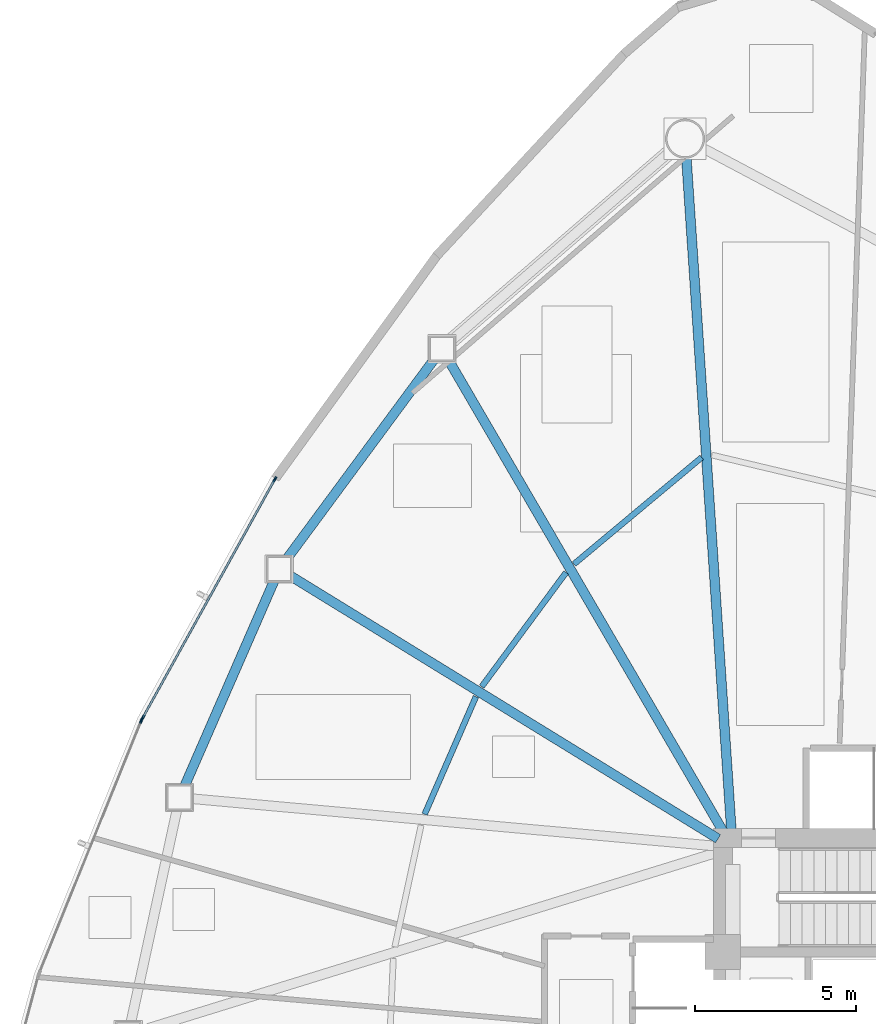
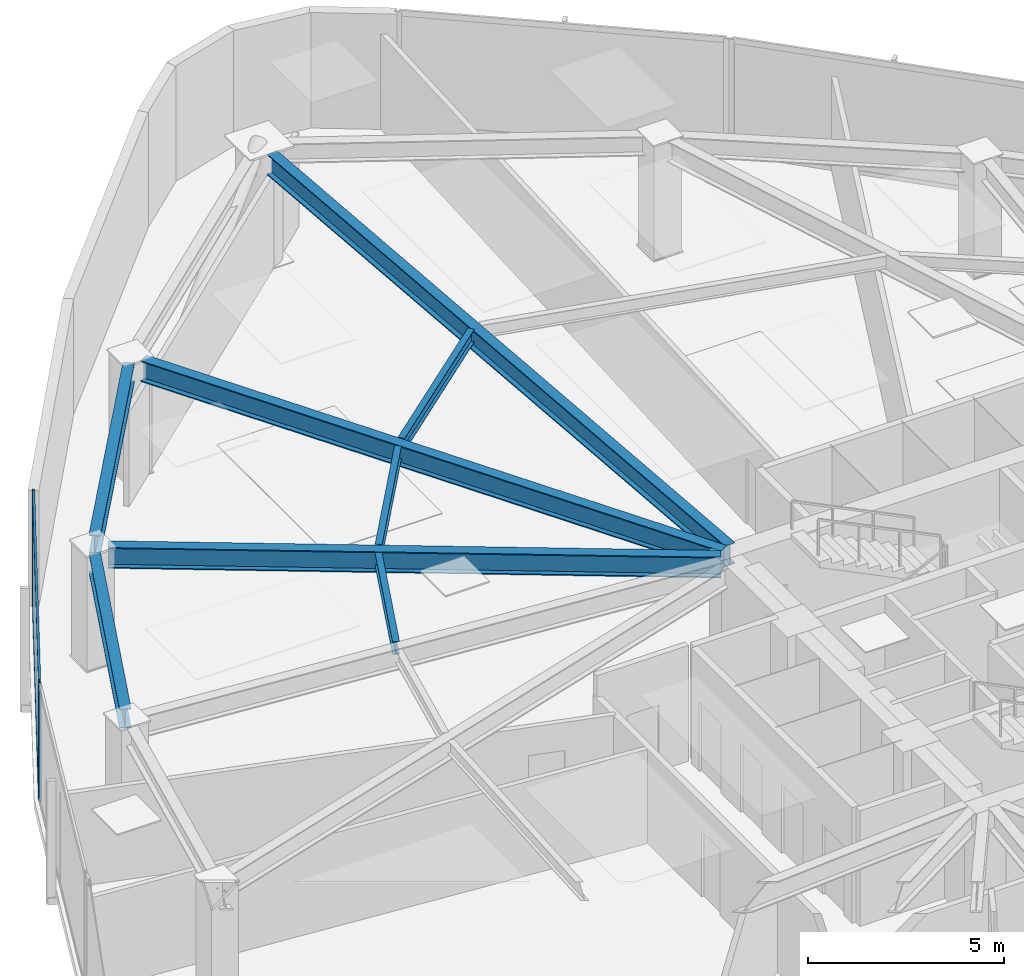
# One storey, part 7 of 17: 8 beams, 5 members, 2 elements without a shape of their own.
"""IFC4 building model written with IfcOpenShell, lengths in metres."""

from ifc_helpers import new_model, si_unit, direction, frame, origin, origin_2d, place, context, subcontext, project, spatial, hollow_rectangle, i_section, extrude, source, transform, mapped, material, layer, layer_set, material_profile, profile_set, type_object, type_shapes, element, aggregate, save


model = new_model("IFC4")

# Units and contexts
model_context = context("Model", 3, precision=1e-05, world=origin(), true_north=direction((0.0, 1.0)))
body_context = subcontext(model_context, "Body", "Model", "MODEL_VIEW")
ifc_project = project(units=[si_unit("LENGTHUNIT", "METRE"), si_unit("AREAUNIT", "SQUARE_METRE"), si_unit("VOLUMEUNIT", "CUBIC_METRE"), si_unit("PLANEANGLEUNIT", "RADIAN"), si_unit("MASSUNIT", "GRAM", prefix="KILO")], contexts=[model_context])

# Site, building, storey
site_placement = place(None, origin())
site = spatial("IfcSite", under=ifc_project, at=site_placement, CompositionType="ELEMENT")
building_placement = place(site_placement, origin())
building = spatial("IfcBuilding", under=site, at=building_placement, Name="Tavelor Broadcast Tower", CompositionType="ELEMENT")
storey_placement = place(building_placement, frame((0.0, 0.0, 43.199951171875)))
storey = spatial("IfcBuildingStorey", under=building, at=storey_placement, Name="L09", CompositionType="ELEMENT", Elevation=43.199951171875)

# Beams
ifc_material_1 = material(Name="Steel S355", Category="steel")
ifc_material_profile_1 = material_profile(ifc_material_1, i_section(OverallWidth=0.179931640625, OverallDepth=0.39990234375, WebThickness=0.008544921875, FlangeThickness=0.013427734375, at=origin_2d()), Name="IPE 400")
ifc_profile_set_1 = profile_set([ifc_material_profile_1], Name="Steel S355")
beam_type_1 = type_object("IfcBeamType", Name="Composite Floor Joist T1 IPE 400", PredefinedType="JOIST", material=ifc_profile_set_1)
beam_1_placement = place(storey_placement, frame((42.4404296875, 63.345947265625, 3.400146484375), z_axis=(-0.767560074089, -0.640977014146, 0.0), x_axis=(0.640977014146, -0.767560074089, 0.0)))
element("IfcBeam", 1, at=beam_1_placement, inside=storey, type_object=beam_type_1, Name="L09 Secondary Composite Floor Joist 01", PredefinedType="JOIST", context=body_context, shape_type="SweptSolid", body=[
    extrude(i_section(OverallWidth=0.179931640625, OverallDepth=0.39990234375, WebThickness=0.008544921875, FlangeThickness=0.013427734375, at=origin_2d()), origin(), (0.0, 0.0, 1.0), 5.178466796875),
])
beam_2_placement = place(storey_placement, frame((38.218994140625, 59.764892578125, 3.400146484375), z_axis=(-0.594310286319, -0.804235838281, 0.0), x_axis=(0.804235838281, -0.594310286319, 0.0)))
element("IfcBeam", 2, at=beam_2_placement, inside=storey, type_object=beam_type_1, Name="L09 Secondary Composite Floor Joist 02", PredefinedType="JOIST", context=body_context, shape_type="SweptSolid", body=[
    extrude(i_section(OverallWidth=0.179931640625, OverallDepth=0.39990234375, WebThickness=0.008544921875, FlangeThickness=0.013427734375, at=origin_2d()), origin(), (0.0, 0.0, 1.0), 4.41943359375),
])
beam_3_placement = place(storey_placement, frame((35.41259765625, 55.899169921875, 3.400146484375), z_axis=(-0.399676346619, -0.916656324886, 0.0), x_axis=(0.916656324886, -0.399676346619, 0.0)))
element("IfcBeam", 3, at=beam_3_placement, inside=storey, type_object=beam_type_1, Name="L09 Secondary Composite Floor Joist 03", PredefinedType="JOIST", context=body_context, shape_type="SweptSolid", body=[
    extrude(i_section(OverallWidth=0.179931640625, OverallDepth=0.39990234375, WebThickness=0.008544921875, FlangeThickness=0.013427734375, at=origin_2d()), origin(), (0.0, 0.0, 1.0), 3.991943359375),
])
ifc_material_profile_2 = material_profile(ifc_material_1, i_section(OverallWidth=0.300048828125, OverallDepth=0.60009765625, WebThickness=0.015380859375, FlangeThickness=0.030029296875, at=origin_2d()), Name="HEB 600")
ifc_profile_set_2 = profile_set([ifc_material_profile_2], Name="Steel S355")
beam_type_2 = type_object("IfcBeamType", Name="Perimeter Spandrel Beam T1 HEB 600", PredefinedType="SPANDREL", material=ifc_profile_set_2)
beam_4_placement = place(storey_placement, frame((34.1279296875, 66.4189453125, 3.300048828125), z_axis=(-0.59410601814, -0.804386747286, 0.0), x_axis=(0.804386747286, -0.59410601814, 0.0)))
element("IfcBeam", 4, at=beam_4_placement, inside=storey, type_object=beam_type_2, Name="L09 Framed-Tube Ring Spandrel 02", PredefinedType="SPANDREL", context=body_context, shape_type="SweptSolid", body=[
    extrude(i_section(OverallWidth=0.300048828125, OverallDepth=0.60009765625, WebThickness=0.015380859375, FlangeThickness=0.030029296875, at=origin_2d()), origin(), (0.0, 0.0, 1.0), 7.755615234375),
])
beam_5_placement = place(storey_placement, frame((29.138671875, 59.51953125, 3.300048828125), z_axis=(-0.399831402863, -0.916588702355, 0.0), x_axis=(0.916588702355, -0.399831402863, 0.0)))
element("IfcBeam", 5, at=beam_5_placement, inside=storey, type_object=beam_type_2, Name="L09 Framed-Tube Ring Spandrel 03", PredefinedType="SPANDREL", context=body_context, shape_type="SweptSolid", body=[
    extrude(i_section(OverallWidth=0.300048828125, OverallDepth=0.60009765625, WebThickness=0.015380859375, FlangeThickness=0.030029296875, at=origin_2d()), origin(), (0.0, 0.0, 1.0), 6.99267578125),
])
ifc_material_profile_3 = material_profile(ifc_material_1, i_section(OverallWidth=0.300048828125, OverallDepth=0.64990234375, WebThickness=0.01611328125, FlangeThickness=0.031005859375, at=origin_2d()), Name="HEB 650")
ifc_profile_set_3 = profile_set([ifc_material_profile_3], Name="Steel S355")
beam_type_3 = type_object("IfcBeamType", Name="Radial Floor Girder T1 HEB 650", PredefinedType="BEAM", material=ifc_profile_set_3)
beam_6_placement = place(storey_placement, frame((43.36474609375, 51.726806640625, 3.275146484375), z_axis=(-0.066781325407, 0.997767635563, 0.0), x_axis=(-0.997767635563, -0.066781325407, 0.0)))
element("IfcBeam", 6, at=beam_6_placement, inside=storey, type_object=beam_type_3, Name="L09 Radial Primary Floor Girder 01", PredefinedType="BEAM", context=body_context, shape_type="SweptSolid", body=[
    extrude(i_section(OverallWidth=0.300048828125, OverallDepth=0.64990234375, WebThickness=0.01611328125, FlangeThickness=0.031005859375, at=origin_2d()), origin(), (0.0, 0.0, 1.0), 21.002685546875),
])
beam_7_placement = place(storey_placement, frame((43.13427734375, 51.65625, 3.275146484375), z_axis=(-0.503292471027, 0.864116131436, 0.0), x_axis=(-0.864116131436, -0.503292471027, 0.0)))
element("IfcBeam", 7, at=beam_7_placement, inside=storey, type_object=beam_type_3, Name="L09 Radial Primary Floor Girder 02", PredefinedType="BEAM", context=body_context, shape_type="SweptSolid", body=[
    extrude(i_section(OverallWidth=0.300048828125, OverallDepth=0.64990234375, WebThickness=0.01611328125, FlangeThickness=0.031005859375, at=origin_2d()), origin(), (0.0, 0.0, 1.0), 17.0576171875),
])
beam_8_placement = place(storey_placement, frame((42.9501953125, 51.4765625, 3.275146484375), z_axis=(-0.851935691671, 0.523646423894, 0.0), x_axis=(-0.523646423894, -0.851935691671, 0.0)))
element("IfcBeam", 8, at=beam_8_placement, inside=storey, type_object=beam_type_3, Name="L09 Radial Primary Floor Girder 03", PredefinedType="BEAM", context=body_context, shape_type="SweptSolid", body=[
    extrude(i_section(OverallWidth=0.300048828125, OverallDepth=0.64990234375, WebThickness=0.01611328125, FlangeThickness=0.031005859375, at=origin_2d()), origin(), (0.0, 0.0, 1.0), 15.647705078125),
])

# Curtain wall, members
ifc_material_2 = material(Name="Architectural Anodized Aluminium", Category="aluminium")
ifc_layer = layer(ifc_material_2, 0.179931640625)
ifc_layer_set = layer_set([ifc_layer], Name="Architectural Anodized Aluminium")
curtain_wall_type = type_object("IfcCurtainWallType", Name="Tower Low-Zone Unitised Curtain Wall CW02", PredefinedType="NOTDEFINED", material=ifc_layer_set)
curtain_wall_1_placement = place(storey_placement, origin())
curtain_wall_1 = element("IfcCurtainWall", 9, at=curtain_wall_1_placement, inside=storey, type_object=curtain_wall_type, Name="L09 Curtain Wall CW02 Run 61", PredefinedType="NOTDEFINED")
ifc_material_profile_4 = material_profile(ifc_material_2, hollow_rectangle(XDim=0.06494140625, YDim=0.179931640625, WallThickness=0.02197265625, at=origin_2d()), Name="RHS 65x180x22")
ifc_profile_set_4 = profile_set([ifc_material_profile_4], Name="Architectural Anodized Aluminium")
member_type_1 = type_object("IfcMemberType", Name="CW02 Extruded Aluminium Mullion 65x180", PredefinedType="MULLION", material=ifc_profile_set_4)
shared_shape_1 = source(origin(), body_context, "Body", "SweptSolid", [
    extrude(hollow_rectangle(XDim=0.06494140625, YDim=0.179931640625, WallThickness=0.02197265625, at=origin_2d()), origin(), (0.0, 0.0, 1.0), 3.60009765625),
])
type_shapes(member_type_1, [shared_shape_1])
member_1_placement = place(storey_placement, frame((29.153076171875, 62.664794921875, 0.0), z_axis=(0.0, 0.0, 1.0), x_axis=(0.874829322591, -0.484431271013, 0.0)))
member_1 = element("IfcMember", 10, at=member_1_placement, type_object=member_type_1, Name="CW02 mullion 1", PredefinedType="MULLION", context=body_context, shape_type="MappedRepresentation", body=[
    mapped(shared_shape_1, transform((0.0, 0.0, 0.0), scale=1.0)),
])
member_2_placement = place(storey_placement, frame((25.041748046875, 55.239990234375, 0.0), z_axis=(0.0, 0.0, 1.0), x_axis=(0.874829322591, -0.484431271013, 0.0)))
member_2 = element("IfcMember", 11, at=member_2_placement, type_object=member_type_1, Name="CW02 mullion 2", PredefinedType="MULLION", context=body_context, shape_type="MappedRepresentation", body=[
    mapped(shared_shape_1, transform((0.0, 0.0, 0.0), scale=1.0)),
])

# Curtain wall, member
curtain_wall_2_placement = place(storey_placement, origin())
curtain_wall_2 = element("IfcCurtainWall", 12, at=curtain_wall_2_placement, inside=storey, type_object=curtain_wall_type, Name="L09 Curtain Wall CW02 Run 62", PredefinedType="NOTDEFINED")
member_3_placement = place(storey_placement, frame((25.000732421875, 55.154296875, 0.0), z_axis=(0.0, 0.0, 1.0), x_axis=(0.927018765158, -0.375014945096, 0.0)))
member_3 = element("IfcMember", 13, at=member_3_placement, type_object=member_type_1, Name="CW02 mullion 1", PredefinedType="MULLION", context=body_context, shape_type="MappedRepresentation", body=[
    mapped(shared_shape_1, transform((0.0, 0.0, 0.0), scale=1.0)),
])
aggregate(curtain_wall_2, [member_3])

# Member
ifc_material_profile_5 = material_profile(ifc_material_2, hollow_rectangle(XDim=0.06494140625, YDim=0.179931640625, WallThickness=0.02197265625, at=origin_2d()), Name="RHS 65x180x22")
ifc_profile_set_5 = profile_set([ifc_material_profile_5], Name="Architectural Anodized Aluminium")
member_type_2 = type_object("IfcMemberType", Name="CW02 Extruded Aluminium Transom 65x180", PredefinedType="USERDEFINED", material=ifc_profile_set_5)
shared_shape_2 = source(origin(), body_context, "Body", "SweptSolid", [
    extrude(hollow_rectangle(XDim=0.06494140625, YDim=0.179931640625, WallThickness=0.02197265625, at=origin_2d()), origin(), (0.0, 0.0, 1.0), 8.42236328125),
])
type_shapes(member_type_2, [shared_shape_2])
member_4_placement = place(storey_placement, frame((29.137451171875, 62.636474609375, 0.032470703125), z_axis=(-0.484431572274, -0.87482915577, 0.0), x_axis=(0.87482915577, -0.484431572274, 0.0)))
member_4 = element("IfcMember", 14, at=member_4_placement, type_object=member_type_2, Name="CW02 transom 1.1", ObjectType="TRANSOM", PredefinedType="USERDEFINED", context=body_context, shape_type="MappedRepresentation", body=[
    mapped(shared_shape_2, transform((0.0, 0.0, 0.0), scale=1.0)),
])

member_5_placement = place(storey_placement, frame((29.137451171875, 62.636474609375, 3.567626953125), z_axis=(-0.484431572274, -0.87482915577, 0.0), x_axis=(0.87482915577, -0.484431572274, 0.0)))
member_5 = element("IfcMember", 15, at=member_5_placement, type_object=member_type_2, Name="CW02 transom 1.2", ObjectType="TRANSOM", PredefinedType="USERDEFINED", context=body_context, shape_type="MappedRepresentation", body=[
    mapped(shared_shape_2, transform((0.0, 0.0, 0.0), scale=1.0)),
])

aggregate(curtain_wall_1, [member_1, member_2, member_4, member_5])

save(model, "model.ifc")
